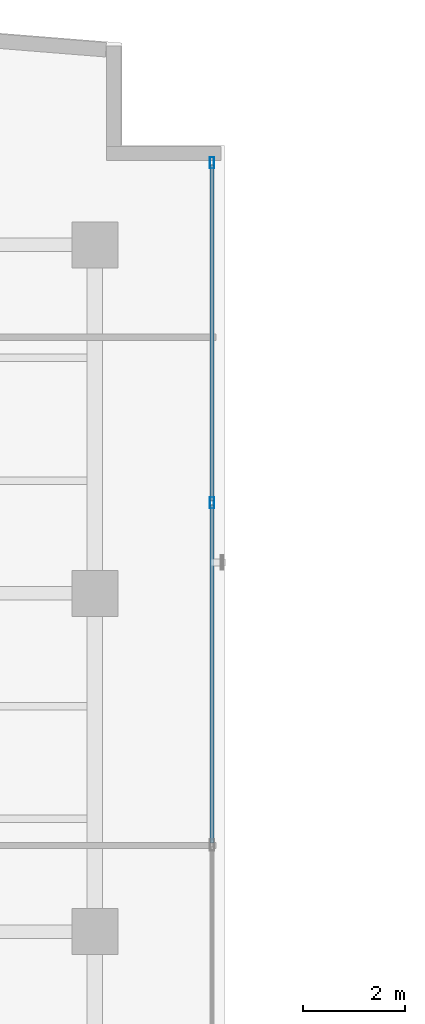
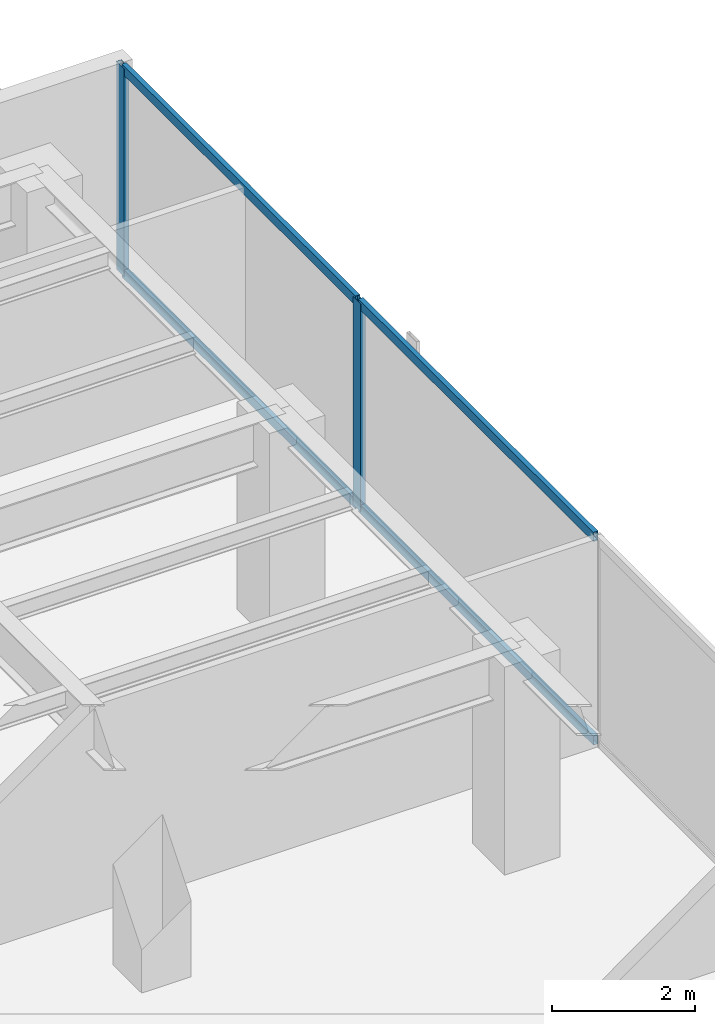
# One storey, part 14 of 23: 6 members, 1 element without a shape of its own.
"""IFC4 building model written with IfcOpenShell, lengths in metres."""

import ifcopenshell
import ifcopenshell.guid

model = None  # the IFC model being written
_history = None  # IfcOwnerHistory: only IFC2X3 demands one
_inside = {}  # id of a spatial element -> (the spatial element, [elements in it])
_under = {}  # id of a project, library or spatial element -> (it, [spatial elements below it])
_declared = {}  # id of a project -> (the project, [libraries it declares])
_typed = {}  # id of a type object -> (the type object, [elements of that type])
_made_of = {}  # id of a material, layer set ... -> (it, [elements and type objects made of it])


def new_model(schema):
    """Start an empty IFC model of exactly this schema.

    Asked for "IFC4X3", IfcOpenShell would pick the latest addendum, in which some entities
    have other attributes; the version numbers below select the first issue.
    IFC2X3 requires an IfcOwnerHistory on every rooted entity: one is made here for all.
    """
    global model, _history
    if schema == "IFC4X3":
        model = ifcopenshell.file(schema_version=(4, 3, 0, 0))
    else:
        model = ifcopenshell.file(schema=schema)
    _inside.clear()
    _under.clear()
    _declared.clear()
    _typed.clear()
    _made_of.clear()
    _history = None
    if model.schema == "IFC2X3":
        org = make("IfcOrganization", Name="unknown")
        user = make(
            "IfcPersonAndOrganization",
            ThePerson=make("IfcPerson", FamilyName="unknown"),
            TheOrganization=org,
        )
        app = make(
            "IfcApplication",
            ApplicationDeveloper=org,
            Version="unknown",
            ApplicationFullName="unknown",
            ApplicationIdentifier="unknown",
        )
        _history = make(
            "IfcOwnerHistory",
            OwningUser=user,
            OwningApplication=app,
            ChangeAction="ADDED",
            CreationDate=0,
        )
    return model


def make(cls, **values):
    """One entity of the class cls with the attributes given. An attribute that is None is left unset."""
    return model.create_entity(
        cls, **{name: value for name, value in values.items() if value is not None}
    )


def rooted(cls, **values):
    """An entity with a GlobalId (a new one), such as an element, a storey or a relation."""
    return make(cls, GlobalId=ifcopenshell.guid.new(), OwnerHistory=_history, **values)


def si_unit(unit_type, name, prefix=None):
    """IfcSIUnit, for example si_unit("LENGTHUNIT", "METRE", prefix="MILLI")."""
    return make("IfcSIUnit", UnitType=unit_type, Prefix=prefix, Name=name)


def assignment(units):
    """IfcUnitAssignment: the units of a project."""
    return None if units is None else make("IfcUnitAssignment", Units=units)


def point(xyz):
    """IfcCartesianPoint."""
    return None if xyz is None else make("IfcCartesianPoint", Coordinates=xyz)


def direction(xyz):
    """IfcDirection."""
    return None if xyz is None else make("IfcDirection", DirectionRatios=xyz)


def frame(location, z_axis=None, x_axis=None):
    """IfcAxis2Placement3D, a coordinate frame: its origin and axes. An axis left out is left unset."""
    return make(
        "IfcAxis2Placement3D",
        Location=point(location),
        Axis=direction(z_axis),
        RefDirection=direction(x_axis),
    )


def frame_2d(location, x_axis=None):
    """IfcAxis2Placement2D, a coordinate frame in the plane: its origin and x axis."""
    return make(
        "IfcAxis2Placement2D", Location=point(location), RefDirection=direction(x_axis)
    )


def origin():
    """The frame at (0, 0, 0) with its axes left unset."""
    return frame((0.0, 0.0, 0.0))


def origin_with_axes():
    """The frame at (0, 0, 0) with the z axis (0, 0, 1) and the x axis (1, 0, 0) written out."""
    return frame((0.0, 0.0, 0.0), z_axis=(0.0, 0.0, 1.0), x_axis=(1.0, 0.0, 0.0))


def origin_2d():
    """The frame at (0, 0) in the plane with its x axis left unset."""
    return frame_2d((0.0, 0.0))


def place(relative_to, where):
    """IfcLocalPlacement: puts the frame where relative to a parent placement (None: the world)."""
    return make(
        "IfcLocalPlacement", PlacementRelTo=relative_to, RelativePlacement=where
    )


def context(
    kind, dimensions, precision=None, world=None, true_north=None, identifier=None
):
    """IfcGeometricRepresentationContext, for example the 3D "Model" context."""
    return make(
        "IfcGeometricRepresentationContext",
        ContextIdentifier=identifier,
        ContextType=kind,
        CoordinateSpaceDimension=dimensions,
        Precision=precision,
        WorldCoordinateSystem=world,
        TrueNorth=true_north,
    )


def subcontext(parent, identifier, kind, view, scale=None):
    """IfcGeometricRepresentationSubContext, for example "Body" below "Model"."""
    return make(
        "IfcGeometricRepresentationSubContext",
        ContextIdentifier=identifier,
        ContextType=kind,
        ParentContext=parent,
        TargetScale=scale,
        TargetView=view,
    )


def project(units=None, contexts=None):
    """IfcProject with its units and contexts."""
    return rooted(
        "IfcProject",
        Name="project",
        RepresentationContexts=contexts,
        UnitsInContext=assignment(units),
    )


def spatial(cls, under=None, at=None, **own):
    """A site, building, storey or space (cls), placed at a placement, below another one or the project."""
    s = rooted(cls, ObjectPlacement=at, **own)
    if under is not None:
        _under.setdefault(under.id(), (under, []))[1].append(s)
    return s


def profile(cls, at=None, kind="AREA", **sizes):
    """A parametric profile (cls). Its sizes go by their IFC names, for example OverallWidth=200.0."""
    return make(cls, ProfileType=kind, Position=at, **sizes)


def hollow_rectangle(**sizes):
    """IfcRectangleHollowProfileDef."""
    return profile("IfcRectangleHollowProfileDef", **sizes)


def extrude(swept, where, along, depth):
    """IfcExtrudedAreaSolid: the profile swept, set in the frame where, extruded along a direction by depth."""
    return make(
        "IfcExtrudedAreaSolid",
        SweptArea=swept,
        Position=where,
        ExtrudedDirection=direction(along),
        Depth=depth,
    )


def shape(context_of_items, identifier, shape_type, items):
    """IfcShapeRepresentation: the items that make up one representation, for example the "Body"."""
    return make(
        "IfcShapeRepresentation",
        ContextOfItems=context_of_items,
        RepresentationIdentifier=identifier,
        RepresentationType=shape_type,
        Items=items,
    )


def source(mapping_origin, context_of_items, identifier, shape_type, items):
    """IfcRepresentationMap: a shape defined once, which mapped items show again and again."""
    return make(
        "IfcRepresentationMap",
        MappingOrigin=mapping_origin,
        MappedRepresentation=shape(context_of_items, identifier, shape_type, items),
    )


def transform(
    local_origin,
    x_axis=None,
    y_axis=None,
    z_axis=None,
    scale=None,
    scale2=None,
    scale3=None,
    uniform=True,
):
    """IfcCartesianTransformationOperator3D, or its non-uniform kind. x_axis, y_axis, z_axis: its Axis1, 2, 3."""
    if uniform:
        return make(
            "IfcCartesianTransformationOperator3D",
            Axis1=direction(x_axis),
            Axis2=direction(y_axis),
            LocalOrigin=point(local_origin),
            Scale=scale,
            Axis3=direction(z_axis),
        )
    return make(
        "IfcCartesianTransformationOperator3DnonUniform",
        Axis1=direction(x_axis),
        Axis2=direction(y_axis),
        LocalOrigin=point(local_origin),
        Scale=scale,
        Axis3=direction(z_axis),
        Scale2=scale2,
        Scale3=scale3,
    )


def mapped(mapping_source, mapping_target):
    """IfcMappedItem: shows the shape of a source again, moved by a transform."""
    return make(
        "IfcMappedItem", MappingSource=mapping_source, MappingTarget=mapping_target
    )


def material(Name=None, Category=None):
    """IfcMaterial."""
    return make("IfcMaterial", Name=Name, Category=Category)


def layer(
    of_material, thickness, ventilated=None, Name=None, Category=None, Priority=None
):
    """IfcMaterialLayer: one layer of a wall or slab, of a material (None: an air gap)."""
    return make(
        "IfcMaterialLayer",
        Material=of_material,
        LayerThickness=thickness,
        IsVentilated=ventilated,
        Name=Name,
        Category=Category,
        Priority=Priority,
    )


def layer_set(layers, Name=None):
    """IfcMaterialLayerSet."""
    return make("IfcMaterialLayerSet", MaterialLayers=layers, LayerSetName=Name)


def material_profile(
    of_material, cross_section, Name=None, Category=None, Priority=None
):
    """IfcMaterialProfile: a cross section and its material."""
    return make(
        "IfcMaterialProfile",
        Name=Name,
        Material=of_material,
        Profile=cross_section,
        Priority=Priority,
        Category=Category,
    )


def profile_set(profiles, Name=None, composite=None):
    """IfcMaterialProfileSet."""
    return make(
        "IfcMaterialProfileSet",
        Name=Name,
        MaterialProfiles=profiles,
        CompositeProfile=composite,
    )


def made_of(thing, what):
    """Note that an element or type object is made of a material, layer set ...; save() writes the relation."""
    if what is not None:
        _made_of.setdefault(what.id(), (what, []))[1].append(thing)
    return thing


def type_object(cls, material=None, **own):
    """A type object (cls), such as IfcWallType, which elements share."""
    return made_of(rooted(cls, **own), material)


def element(
    cls,
    number,
    at=None,
    inside=None,
    cuts=None,
    type_object=None,
    material=None,
    context=None,
    identifier="Body",
    shape_type=None,
    held_by="IfcProductDefinitionShape",
    body=None,
    shapes=None,
    **own,
):
    """One element of the class cls, such as IfcWall. Its Tag is "e" and its number.

    at: its placement. inside: the storey or other place that contains it. cuts: it is an
    opening in that element (IfcRelVoidsElement). A single representation is given by context,
    identifier, shape_type and body (its items); several are given by shapes. held_by: the class
    of the entity that holds the representations. save() writes the other relations.
    """
    e = rooted(cls, Tag="e%d" % number, ObjectPlacement=at, **own)
    if body is not None:
        shapes = [shape(context, identifier, shape_type, body)]
    if shapes is not None:
        e.Representation = make(held_by, Representations=shapes)
    if inside is not None:
        _inside.setdefault(inside.id(), (inside, []))[1].append(e)
    if cuts is not None:
        rooted(
            "IfcRelVoidsElement", RelatingBuildingElement=cuts, RelatedOpeningElement=e
        )
    if type_object is not None:
        _typed.setdefault(type_object.id(), (type_object, []))[1].append(e)
    return made_of(e, material)


def aggregate(whole, parts):
    """IfcRelAggregates: a whole, such as a stair, and the parts it consists of."""
    return rooted("IfcRelAggregates", RelatingObject=whole, RelatedObjects=parts)


def save(model, path):
    """Write the relations noted so far, then the file.

    IfcRelAggregates (storeys below a building ...), IfcRelContainedInSpatialStructure (elements
    in a storey), IfcRelDefinesByType, IfcRelAssociatesMaterial and IfcRelDeclares: one each for
    every whole, place, type object, material and project.
    """
    for whole, parts in _under.values():
        aggregate(whole, parts)
    for where, things in _inside.values():
        rooted(
            "IfcRelContainedInSpatialStructure",
            RelatedElements=things,
            RelatingStructure=where,
        )
    for kind, things in _typed.values():
        rooted("IfcRelDefinesByType", RelatedObjects=things, RelatingType=kind)
    for what, things in _made_of.values():
        rooted("IfcRelAssociatesMaterial", RelatedObjects=things, RelatingMaterial=what)
    for by, libraries in _declared.values():
        rooted("IfcRelDeclares", RelatingContext=by, RelatedDefinitions=libraries)
    model.write(path)


model = new_model("IFC4")

# Units and contexts
model_context = context("Model", 3, precision=1e-05, world=origin(), true_north=direction((0.0, 1.0)))
body_context = subcontext(model_context, "Body", "Model", "MODEL_VIEW")
ifc_project = project(units=[si_unit("LENGTHUNIT", "METRE"), si_unit("AREAUNIT", "SQUARE_METRE"), si_unit("VOLUMEUNIT", "CUBIC_METRE"), si_unit("PLANEANGLEUNIT", "RADIAN"), si_unit("MASSUNIT", "GRAM", prefix="KILO")], contexts=[model_context])

# Site, building, storey
site_placement = place(None, origin())
site = spatial("IfcSite", under=ifc_project, at=site_placement, CompositionType="ELEMENT")
building_placement = place(site_placement, origin())
building = spatial("IfcBuilding", under=site, at=building_placement, Name="Kolvaren Waterfront Exchange", CompositionType="ELEMENT")
storey_placement = place(building_placement, frame((0.0, 0.0, 289.39990234375)))
storey = spatial("IfcBuildingStorey", under=building, at=storey_placement, Name="L74", CompositionType="ELEMENT", Elevation=289.39990234375)

# Curtain wall, members
ifc_material_1 = material(Name="Anodised bronze aluminium 6063-T6", Category="aluminium")
ifc_layer = layer(ifc_material_1, 0.219970703125, Name="Anodised bronze aluminium 6063-T6")
ifc_layer_set = layer_set([ifc_layer], Name="Anodised bronze aluminium 6063-T6")
curtain_wall_type = type_object("IfcCurtainWallType", Name="ARC-CW-SYS1", PredefinedType="USERDEFINED", material=ifc_layer_set)
curtain_wall_placement = place(storey_placement, origin())
curtain_wall = element("IfcCurtainWall", 1, at=curtain_wall_placement, inside=storey, type_object=curtain_wall_type, Name="L74 stick curtain wall CW1 (CW-L74-NE)", ObjectType="STICK CURTAIN WALL", PredefinedType="USERDEFINED")
ifc_material_2 = material(Name="Anodised aluminium 6063-T6", Category="aluminium")
ifc_material_profile_1 = material_profile(ifc_material_2, hollow_rectangle(XDim=0.080078125, YDim=0.219970703125, WallThickness=0.0048828125, at=origin_2d()), Name="ALU-MUL-220x80x5")
ifc_profile_set_1 = profile_set([ifc_material_profile_1], Name="Anodised aluminium 6063-T6")
member_type_1 = type_object("IfcMemberType", Name="ARC-CWM-220", PredefinedType="MULLION", material=ifc_profile_set_1)
shared_shape_1 = source(origin_with_axes(), body_context, "Body", "SweptSolid", [
    extrude(hollow_rectangle(XDim=0.080078125, YDim=0.219970703125, WallThickness=0.0048828125, at=origin_2d()), origin(), (0.0, 0.0, 1.0), 3.56005859375),
])
member_1_placement = place(storey_placement, frame((21.086181640625, 39.56689453125, 0.0), z_axis=(0.0, 0.0, 1.0), x_axis=(-1.0, 0.0, 0.0)))
member_1 = element("IfcMember", 2, at=member_1_placement, type_object=member_type_1, Name="CW1 mullion 3", PredefinedType="MULLION", context=body_context, shape_type="MappedRepresentation", body=[
    mapped(shared_shape_1, transform((0.0, 0.0, 0.0), x_axis=(1.0, 0.0, 0.0), y_axis=(0.0, 1.0, 0.0), z_axis=(0.0, 0.0, 1.0), scale=1.0)),
])
member_2_placement = place(storey_placement, frame((21.086181640625, 46.2021484375, 0.0), z_axis=(0.0, 0.0, 1.0), x_axis=(-1.0, 0.0, 0.0)))
member_2 = element("IfcMember", 3, at=member_2_placement, type_object=member_type_1, Name="CW1 mullion 4", PredefinedType="MULLION", context=body_context, shape_type="MappedRepresentation", body=[
    mapped(shared_shape_1, transform((0.0, 0.0, 0.0), x_axis=(1.0, 0.0, 0.0), y_axis=(0.0, 1.0, 0.0), z_axis=(0.0, 0.0, 1.0), scale=1.0)),
])
ifc_material_profile_2 = material_profile(ifc_material_2, hollow_rectangle(XDim=0.074951171875, YDim=0.159912109375, WallThickness=0.00439453125, at=origin_2d()), Name="ALU-TRN-160x75x4.5")
ifc_profile_set_2 = profile_set([ifc_material_profile_2], Name="Anodised aluminium 6063-T6")
member_type_2 = type_object("IfcMemberType", Name="ARC-CWT-160", PredefinedType="USERDEFINED", material=ifc_profile_set_2)
shared_shape_2 = source(origin_with_axes(), body_context, "Body", "SweptSolid", [
    extrude(hollow_rectangle(XDim=0.074951171875, YDim=0.159912109375, WallThickness=0.00439453125, at=origin_2d()), origin(), (0.0, 0.0, 1.0), 6.55517578125),
])
member_3_placement = place(storey_placement, frame((21.086181640625, 39.60693359375, 0.03759765625), z_axis=(0.0, 1.0, 0.0), x_axis=(-1.0, 0.0, 0.0)))
member_3 = element("IfcMember", 4, at=member_3_placement, type_object=member_type_2, Name="CW1 transom 3.1", ObjectType="TRANSOM", PredefinedType="USERDEFINED", context=body_context, shape_type="MappedRepresentation", body=[
    mapped(shared_shape_2, transform((0.0, 0.0, 0.0), x_axis=(1.0, 0.0, 0.0), y_axis=(0.0, 1.0, 0.0), z_axis=(0.0, 0.0, 1.0), scale=1.0)),
])
member_4_placement = place(storey_placement, frame((21.086181640625, 39.60693359375, 3.522705078125), z_axis=(0.0, 1.0, 0.0), x_axis=(-1.0, 0.0, 0.0)))
member_4 = element("IfcMember", 5, at=member_4_placement, type_object=member_type_2, Name="CW1 transom 3.2", ObjectType="TRANSOM", PredefinedType="USERDEFINED", context=body_context, shape_type="MappedRepresentation", body=[
    mapped(shared_shape_2, transform((0.0, 0.0, 0.0), x_axis=(1.0, 0.0, 0.0), y_axis=(0.0, 1.0, 0.0), z_axis=(0.0, 0.0, 1.0), scale=1.0)),
])
shared_shape_3 = source(origin_with_axes(), body_context, "Body", "SweptSolid", [
    extrude(hollow_rectangle(XDim=0.074951171875, YDim=0.159912109375, WallThickness=0.00439453125, at=origin_2d()), origin(), (0.0, 0.0, 1.0), 6.59521484375),
])
member_5_placement = place(storey_placement, frame((21.086181640625, 32.931640625, 0.03759765625), z_axis=(0.0, 1.0, 0.0), x_axis=(-1.0, 0.0, 0.0)))
member_5 = element("IfcMember", 6, at=member_5_placement, type_object=member_type_2, Name="CW1 transom 2.1", ObjectType="TRANSOM", PredefinedType="USERDEFINED", context=body_context, shape_type="MappedRepresentation", body=[
    mapped(shared_shape_3, transform((0.0, 0.0, 0.0), x_axis=(1.0, 0.0, 0.0), y_axis=(0.0, 1.0, 0.0), z_axis=(0.0, 0.0, 1.0), scale=1.0)),
])
member_6_placement = place(storey_placement, frame((21.086181640625, 32.931640625, 3.522705078125), z_axis=(0.0, 1.0, 0.0), x_axis=(-1.0, 0.0, 0.0)))
member_6 = element("IfcMember", 7, at=member_6_placement, type_object=member_type_2, Name="CW1 transom 2.2", ObjectType="TRANSOM", PredefinedType="USERDEFINED", context=body_context, shape_type="MappedRepresentation", body=[
    mapped(shared_shape_3, transform((0.0, 0.0, 0.0), x_axis=(1.0, 0.0, 0.0), y_axis=(0.0, 1.0, 0.0), z_axis=(0.0, 0.0, 1.0), scale=1.0)),
])
aggregate(curtain_wall, [member_1, member_2, member_5, member_6, member_3, member_4])

save(model, "model.ifc")
